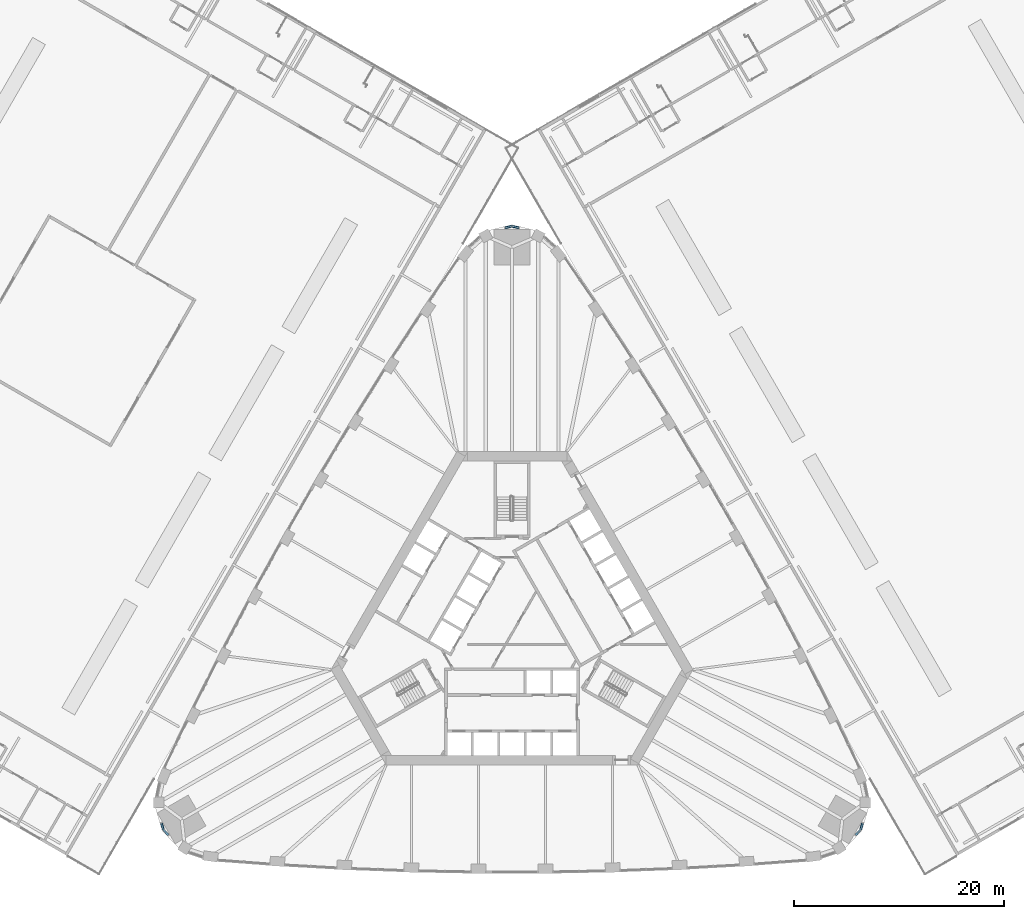
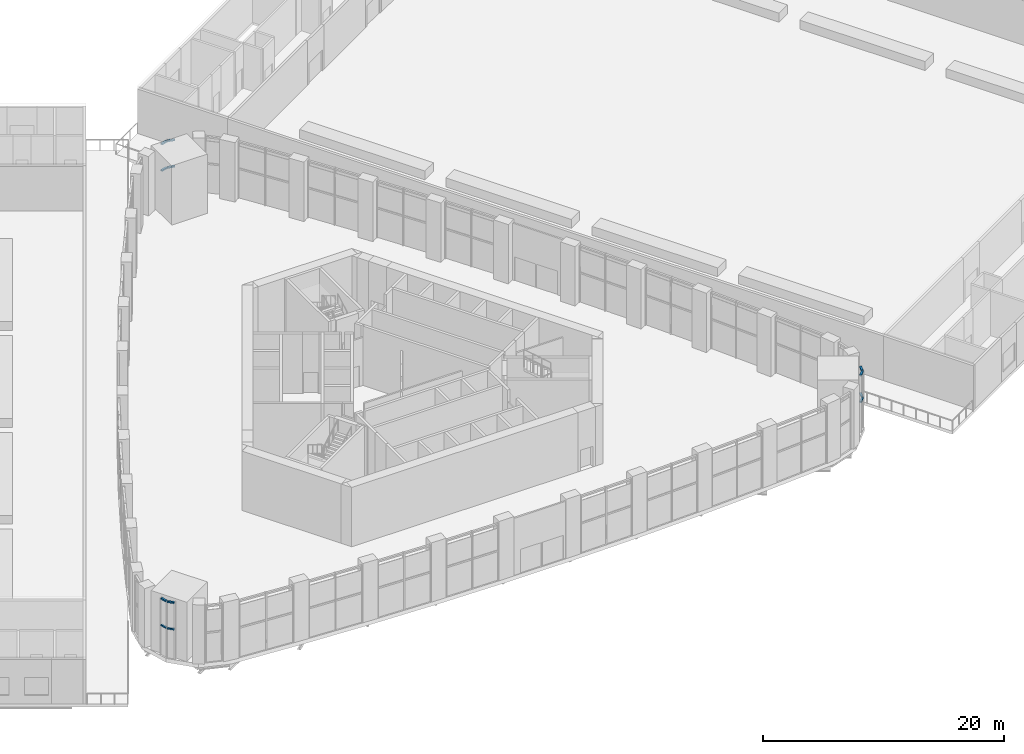
# One storey, part 15 of 41: 12 members, 3 elements without a shape of their own.
"""IFC4 building model written with IfcOpenShell, lengths in metres."""

from ifc_helpers import new_model, si_unit, direction, frame, origin, origin_2d, place, context, subcontext, project, spatial, rectangle, extrude, material, material_profile, profile_set, type_object, element, aggregate, save


model = new_model("IFC4")

# Units and contexts
model_context = context("Model", 3, precision=1e-05, world=origin(), true_north=direction((0.0, 1.0)))
body_context = subcontext(model_context, "Body", "Model", "MODEL_VIEW")
ifc_project = project(units=[si_unit("LENGTHUNIT", "METRE"), si_unit("AREAUNIT", "SQUARE_METRE"), si_unit("VOLUMEUNIT", "CUBIC_METRE"), si_unit("PLANEANGLEUNIT", "RADIAN"), si_unit("MASSUNIT", "GRAM", prefix="KILO")], contexts=[model_context])

# Site, building, storey
site_placement = place(None, origin())
site = spatial("IfcSite", under=ifc_project, at=site_placement, CompositionType="ELEMENT")
building_placement = place(site_placement, origin())
building = spatial("IfcBuilding", under=site, at=building_placement, Name="Mestral Congress Tower", CompositionType="ELEMENT")
storey_placement = place(building_placement, frame((0.0, 0.0, 21.60009765625)))
storey = spatial("IfcBuildingStorey", under=building, at=storey_placement, Name="L04", CompositionType="ELEMENT", Elevation=21.60009765625)

# Curtain wall, members
ifc_material_1 = material(Name="Clear low-emissivity double glazing", Category="glass")
curtain_wall_type = type_object("IfcCurtainWallType", Name="Facade arrival lobby curtain wall", PredefinedType="USERDEFINED", material=ifc_material_1)
placement = place(storey_placement, origin())
curtain_wall_1 = element("IfcCurtainWall", 1, at=placement, inside=storey, type_object=curtain_wall_type, Name="Facade arrival lobby curtain wall corner 1", ObjectType="CURTAIN WALL", PredefinedType="USERDEFINED")
ifc_material_2 = material(Name="Anodised aluminium", Category="aluminium")
ifc_material_profile = material_profile(ifc_material_2, rectangle(XDim=0.179931640625, YDim=0.139892578125, at=origin_2d()), Name="CW4 transom 180 x 140")
ifc_profile_set = profile_set([ifc_material_profile], Name="Anodised aluminium")
member_type = type_object("IfcMemberType", Name="Facade arrival lobby curtain wall transom", PredefinedType="USERDEFINED", material=ifc_profile_set)
member_1_placement = place(storey_placement, frame((32.80029296875, -19.685302734375, 3.0), z_axis=(0.692358168147, 0.721553994515, 0.0), x_axis=(-0.721553994515, 0.692358168147, 0.0)))
member_1 = element("IfcMember", 2, at=member_1_placement, type_object=member_type, Name="Facade arrival lobby curtain wall transom", ObjectType="TRANSOM", PredefinedType="USERDEFINED", context=body_context, shape_type="SweptSolid", body=[
    extrude(rectangle(XDim=0.179931640625, YDim=0.139892578125, at=origin_2d()), origin(), (0.0, 0.0, 1.0), 0.643798828125),
])
member_2_placement = place(storey_placement, frame((32.80029296875, -19.685302734375, 5.679931640625), z_axis=(0.692358168147, 0.721553994515, 0.0), x_axis=(-0.721553994515, 0.692358168147, 0.0)))
member_2 = element("IfcMember", 3, at=member_2_placement, type_object=member_type, Name="Facade arrival lobby curtain wall transom", ObjectType="TRANSOM", PredefinedType="USERDEFINED", context=body_context, shape_type="SweptSolid", body=[
    extrude(rectangle(XDim=0.179931640625, YDim=0.139892578125, at=origin_2d()), origin(), (0.0, 0.0, 1.0), 0.643798828125),
])
member_3_placement = place(storey_placement, frame((33.275146484375, -19.170166015625, 3.0), z_axis=(0.274363342061, 0.961626100172, 0.0), x_axis=(-0.961626100172, 0.274363342061, 0.0)))
member_3 = element("IfcMember", 4, at=member_3_placement, type_object=member_type, Name="Facade arrival lobby curtain wall transom", ObjectType="TRANSOM", PredefinedType="USERDEFINED", context=body_context, shape_type="SweptSolid", body=[
    extrude(rectangle(XDim=0.179931640625, YDim=0.139892578125, at=origin_2d()), origin(), (0.0, 0.0, 1.0), 0.630859375),
])
member_4_placement = place(storey_placement, frame((33.275146484375, -19.170166015625, 5.679931640625), z_axis=(0.274363342061, 0.961626100172, 0.0), x_axis=(-0.961626100172, 0.274363342061, 0.0)))
member_4 = element("IfcMember", 5, at=member_4_placement, type_object=member_type, Name="Facade arrival lobby curtain wall transom", ObjectType="TRANSOM", PredefinedType="USERDEFINED", context=body_context, shape_type="SweptSolid", body=[
    extrude(rectangle(XDim=0.179931640625, YDim=0.139892578125, at=origin_2d()), origin(), (0.0, 0.0, 1.0), 0.630859375),
])
aggregate(curtain_wall_1, [member_1, member_2, member_3, member_4])

curtain_wall_2 = element("IfcCurtainWall", 6, at=placement, inside=storey, type_object=curtain_wall_type, Name="Facade arrival lobby curtain wall corner 2", ObjectType="CURTAIN WALL", PredefinedType="USERDEFINED")
member_5_placement = place(storey_placement, frame((0.647705078125, 38.24853515625, 3.0), z_axis=(-0.971050069034, 0.238876041973, 0.0), x_axis=(-0.238876041973, -0.971050069034, 0.0)))
member_5 = element("IfcMember", 7, at=member_5_placement, type_object=member_type, Name="Facade arrival lobby curtain wall transom", ObjectType="TRANSOM", PredefinedType="USERDEFINED", context=body_context, shape_type="SweptSolid", body=[
    extrude(rectangle(XDim=0.179931640625, YDim=0.139892578125, at=origin_2d()), origin(), (0.0, 0.0, 1.0), 0.643798828125),
])
member_6_placement = place(storey_placement, frame((0.647705078125, 38.24853515625, 5.679931640625), z_axis=(-0.971050069034, 0.238876041973, 0.0), x_axis=(-0.238876041973, -0.971050069034, 0.0)))
member_6 = element("IfcMember", 8, at=member_6_placement, type_object=member_type, Name="Facade arrival lobby curtain wall transom", ObjectType="TRANSOM", PredefinedType="USERDEFINED", context=body_context, shape_type="SweptSolid", body=[
    extrude(rectangle(XDim=0.179931640625, YDim=0.139892578125, at=origin_2d()), origin(), (0.0, 0.0, 1.0), 0.643798828125),
])
member_7_placement = place(storey_placement, frame((-0.035888671875, 38.402099609375, 3.0), z_axis=(-0.970005732131, -0.243082043008, 0.0), x_axis=(0.243082043008, -0.970005732131, 0.0)))
member_7 = element("IfcMember", 9, at=member_7_placement, type_object=member_type, Name="Facade arrival lobby curtain wall transom", ObjectType="TRANSOM", PredefinedType="USERDEFINED", context=body_context, shape_type="SweptSolid", body=[
    extrude(rectangle(XDim=0.179931640625, YDim=0.139892578125, at=origin_2d()), origin(), (0.0, 0.0, 1.0), 0.630615234375),
])
member_8_placement = place(storey_placement, frame((-0.035888671875, 38.402099609375, 5.679931640625), z_axis=(-0.970005732131, -0.243082043008, 0.0), x_axis=(0.243082043008, -0.970005732131, 0.0)))
member_8 = element("IfcMember", 10, at=member_8_placement, type_object=member_type, Name="Facade arrival lobby curtain wall transom", ObjectType="TRANSOM", PredefinedType="USERDEFINED", context=body_context, shape_type="SweptSolid", body=[
    extrude(rectangle(XDim=0.179931640625, YDim=0.139892578125, at=origin_2d()), origin(), (0.0, 0.0, 1.0), 0.630615234375),
])
aggregate(curtain_wall_2, [member_5, member_6, member_7, member_8])

curtain_wall_3 = element("IfcCurtainWall", 11, at=placement, inside=storey, type_object=curtain_wall_type, Name="Facade arrival lobby curtain wall corner 3", ObjectType="CURTAIN WALL", PredefinedType="USERDEFINED")
member_9_placement = place(storey_placement, frame((-33.447998046875, -18.5634765625, 3.0), z_axis=(0.278674833564, -0.960385514852, 0.0), x_axis=(0.960385514852, 0.278674833564, 0.0)))
member_9 = element("IfcMember", 12, at=member_9_placement, type_object=member_type, Name="Facade arrival lobby curtain wall transom", ObjectType="TRANSOM", PredefinedType="USERDEFINED", context=body_context, shape_type="SweptSolid", body=[
    extrude(rectangle(XDim=0.179931640625, YDim=0.139892578125, at=origin_2d()), origin(), (0.0, 0.0, 1.0), 0.643798828125),
])
member_10_placement = place(storey_placement, frame((-33.447998046875, -18.5634765625, 5.679931640625), z_axis=(0.278674833564, -0.960385514852, 0.0), x_axis=(0.960385514852, 0.278674833564, 0.0)))
member_10 = element("IfcMember", 13, at=member_10_placement, type_object=member_type, Name="Facade arrival lobby curtain wall transom", ObjectType="TRANSOM", PredefinedType="USERDEFINED", context=body_context, shape_type="SweptSolid", body=[
    extrude(rectangle(XDim=0.179931640625, YDim=0.139892578125, at=origin_2d()), origin(), (0.0, 0.0, 1.0), 0.643798828125),
])
member_11_placement = place(storey_placement, frame((-33.2392578125, -19.232177734375, 3.0), z_axis=(0.695595502699, -0.718433641073, 0.0), x_axis=(0.718433641073, 0.695595502699, 0.0)))
member_11 = element("IfcMember", 14, at=member_11_placement, type_object=member_type, Name="Facade arrival lobby curtain wall transom", ObjectType="TRANSOM", PredefinedType="USERDEFINED", context=body_context, shape_type="SweptSolid", body=[
    extrude(rectangle(XDim=0.179931640625, YDim=0.139892578125, at=origin_2d()), origin(), (0.0, 0.0, 1.0), 0.630615234375),
])
member_12_placement = place(storey_placement, frame((-33.2392578125, -19.232177734375, 5.679931640625), z_axis=(0.695595502699, -0.718433641073, 0.0), x_axis=(0.718433641073, 0.695595502699, 0.0)))
member_12 = element("IfcMember", 15, at=member_12_placement, type_object=member_type, Name="Facade arrival lobby curtain wall transom", ObjectType="TRANSOM", PredefinedType="USERDEFINED", context=body_context, shape_type="SweptSolid", body=[
    extrude(rectangle(XDim=0.179931640625, YDim=0.139892578125, at=origin_2d()), origin(), (0.0, 0.0, 1.0), 0.630615234375),
])
aggregate(curtain_wall_3, [member_9, member_10, member_11, member_12])

save(model, "model.ifc")
